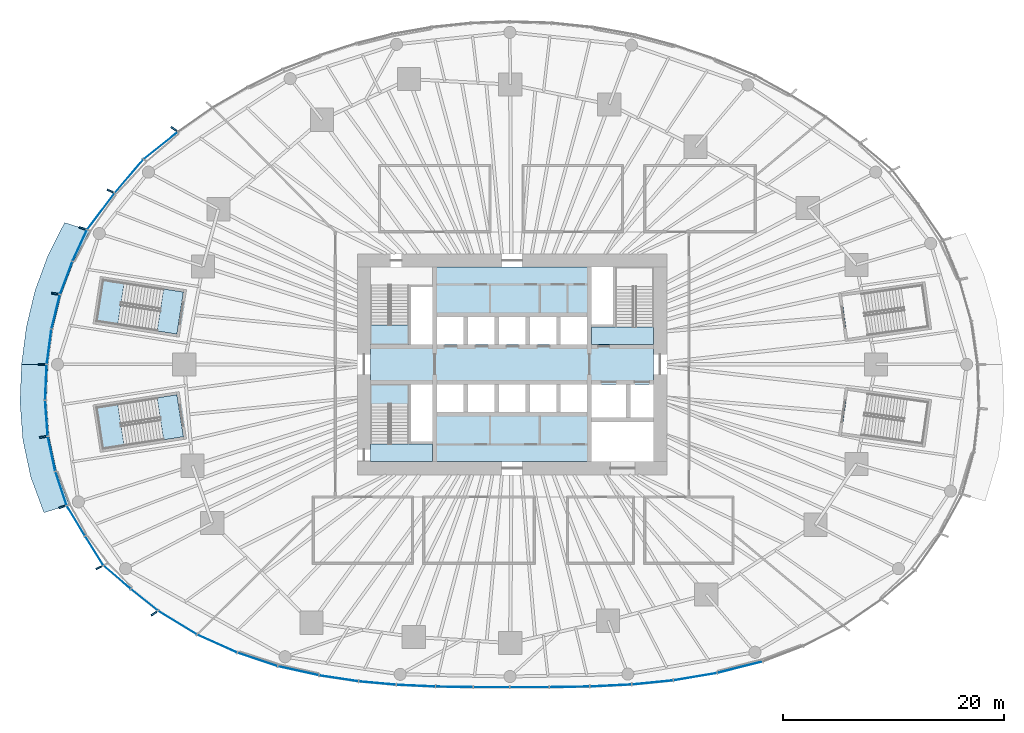
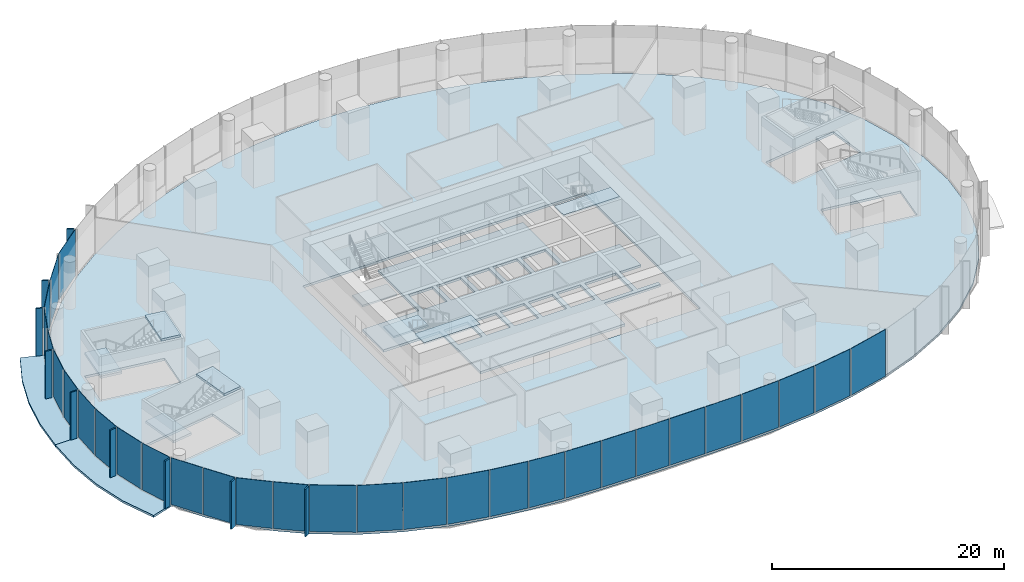
# One storey, part 10 of 28: 39 plates, 12 slabs, 14 elements without a shape of their own.
"""IFC4 building model written with IfcOpenShell, lengths in metres."""

from ifc_helpers import new_model, si_unit, direction, frame, origin, origin_2d, place, context, subcontext, project, spatial, polyline, rectangle, outline, extrude, material, layer, layer_set, type_object, element, aggregate, save


model = new_model("IFC4")

# Units and contexts
model_context = context("Model", 3, precision=1e-05, world=origin(), true_north=direction((0.0, 1.0)))
body_context = subcontext(model_context, "Body", "Model", "MODEL_VIEW")
ifc_project = project(units=[si_unit("LENGTHUNIT", "METRE"), si_unit("AREAUNIT", "SQUARE_METRE"), si_unit("VOLUMEUNIT", "CUBIC_METRE"), si_unit("PLANEANGLEUNIT", "RADIAN"), si_unit("MASSUNIT", "GRAM", prefix="KILO")], contexts=[model_context])

# Site, building, storey
site_placement = place(None, origin())
site = spatial("IfcSite", under=ifc_project, at=site_placement, CompositionType="ELEMENT")
building_placement = place(site_placement, origin())
building = spatial("IfcBuilding", under=site, at=building_placement, Name="Ghaith Harvest Tower", CompositionType="ELEMENT")
storey_placement = place(building_placement, frame((0.0, 0.0, 5.0)))
storey = spatial("IfcBuildingStorey", under=building, at=storey_placement, Name="L01", CompositionType="ELEMENT", Elevation=5.0)

# Slabs
ifc_material_1 = material(Name="Concrete C40/50", Category="concrete")
ifc_layer_1 = layer(ifc_material_1, 0.219970703125)
ifc_layer_set_1 = layer_set([ifc_layer_1], Name="CANOPY SLAB 220")
slab_type_1 = type_object("IfcSlabType", Name="CANOPY SLAB 220", PredefinedType="ROOF", material=ifc_layer_set_1)
slab_1_placement = place(storey_placement, frame((0.0, 0.0, -0.219970703125)))
element("IfcSlab", 1, at=slab_1_placement, inside=storey, type_object=slab_type_1, Name="Entrance canopy bay 10", PredefinedType="ROOF", context=body_context, shape_type="SweptSolid", body=[
    extrude(outline(polyline([(-38.212890625, 12.1103515625), (-39.67919921875, 9.298095703125), (-40.8056640625, 6.311279296875), (-41.57275390625, 3.196044921875), (-42.0, 0.0), (-44.39990234375, 0.0), (-43.965576171875, 3.3798828125), (-43.177490234375, 6.67822265625), (-42.015869140625, 9.845703125), (-40.500732421875, 12.83544921875), (-38.212890625, 12.1103515625)])), origin(), (0.0, 0.0, 1.0), 0.219970703125),
])
slab_2_placement = place(storey_placement, frame((0.0, 0.0, -0.219970703125)))
element("IfcSlab", 2, at=slab_2_placement, inside=storey, type_object=slab_type_1, Name="Entrance canopy bay 11", PredefinedType="ROOF", context=body_context, shape_type="SweptSolid", body=[
    extrude(outline(polyline([(-42.0, 0.0), (-42.145751953125, -3.239990234375), (-41.908203125, -6.48193359375), (-41.22509765625, -9.660400390625), (-40.082763671875, -12.702880859375), (-42.37060546875, -13.427978515625), (-43.561767578125, -10.2080078125), (-44.280029296875, -6.8486328125), (-44.53857421875, -3.424072265625), (-44.39990234375, 0.0), (-42.0, 0.0)])), origin(), (0.0, 0.0, 1.0), 0.219970703125),
])

# Curtain wall, plates
ifc_material_2 = material(Name="Black anodised aluminium and fritted glass", Category="aluminium")
curtain_wall_type = type_object("IfcCurtainWallType", Name="CW-P CURTAIN WALL", PredefinedType="NOTDEFINED", material=ifc_material_2)
curtain_wall_1_placement = place(storey_placement, origin())
curtain_wall_1 = element("IfcCurtainWall", 3, at=curtain_wall_1_placement, inside=storey, type_object=curtain_wall_type, Name="Curtain wall CW-P bay 09 L01", PredefinedType="NOTDEFINED")
ifc_material_3 = material(Name="Glass, dark solar-control fritted double glazed unit", Category="glass")
ifc_layer_2 = layer(ifc_material_3, 0.035888671875)
ifc_layer_set_2 = layer_set([ifc_layer_2], Name="CW-P VISION PANEL")
plate_type_1 = type_object("IfcPlateType", Name="CW-P VISION PANEL", PredefinedType="CURTAIN_PANEL", material=ifc_layer_set_2)
plate_1_placement = place(storey_placement, frame((-31.806884765625, 19.8017578125, 0.080078125), z_axis=(0.0, 0.0, 1.0), x_axis=(-0.782713046151, -0.622382749909, 0.0)))
plate_1 = element("IfcPlate", 4, at=plate_1_placement, type_object=plate_type_1, Name="CW-P glass unit 1 bay 09 L01", PredefinedType="CURTAIN_PANEL", context=body_context, shape_type="SweptSolid", body=[
    extrude(rectangle(XDim=3.91259765625, YDim=0.035888671875, at=origin_2d()), origin(), (0.0, 0.0, 1.0), 4.919921875),
])
plate_2_placement = place(storey_placement, frame((-34.66845703125, 17.036865234375, 0.080078125), z_axis=(0.0, 0.0, 1.0), x_axis=(-0.649171988298, -0.760641656504, 0.0)))
plate_2 = element("IfcPlate", 5, at=plate_2_placement, type_object=plate_type_1, Name="CW-P glass unit 2 bay 09 L01", PredefinedType="CURTAIN_PANEL", context=body_context, shape_type="SweptSolid", body=[
    extrude(rectangle(XDim=3.922607421875, YDim=0.035888671875, at=origin_2d()), origin(), (0.0, 0.0, 1.0), 4.919921875),
])
plate_3_placement = place(storey_placement, frame((-37.218994140625, 13.853271484375, 0.080078125), z_axis=(0.0, 0.0, 1.0), x_axis=(-0.601622218494, -0.798780762296, 0.0)))
plate_3 = element("IfcPlate", 6, at=plate_3_placement, type_object=plate_type_1, Name="CW-P glass unit 3 bay 09 L01", PredefinedType="CURTAIN_PANEL", context=body_context, shape_type="SweptSolid", body=[
    extrude(rectangle(XDim=4.079833984375, YDim=0.035888671875, at=origin_2d()), origin(), (0.0, 0.0, 1.0), 4.919921875),
])
aggregate(curtain_wall_1, [plate_1, plate_2, plate_3])

curtain_wall_2_placement = place(storey_placement, origin())
curtain_wall_2 = element("IfcCurtainWall", 7, at=curtain_wall_2_placement, inside=storey, type_object=curtain_wall_type, Name="Curtain wall CW-P bay 10 L01", PredefinedType="NOTDEFINED")
plate_4_placement = place(storey_placement, frame((-39.133056640625, 10.7587890625, 0.080078125), z_axis=(0.0, 0.0, 1.0), x_axis=(-0.419754998647, -0.907637450258, 0.0)))
plate_4 = element("IfcPlate", 8, at=plate_4_placement, type_object=plate_type_1, Name="CW-P glass unit 1 bay 10 L01", PredefinedType="CURTAIN_PANEL", context=body_context, shape_type="SweptSolid", body=[
    extrude(rectangle(XDim=3.078125, YDim=0.035888671875, at=origin_2d()), origin(), (0.0, 0.0, 1.0), 4.919921875),
])
plate_5_placement = place(storey_placement, frame((-40.360107421875, 7.82763671875, 0.080078125), z_axis=(0.0, 0.0, 1.0), x_axis=(-0.352482670813, -0.935818340692, 0.0)))
plate_5 = element("IfcPlate", 9, at=plate_5_placement, type_object=plate_type_1, Name="CW-P glass unit 2 bay 10 L01", PredefinedType="CURTAIN_PANEL", context=body_context, shape_type="SweptSolid", body=[
    extrude(rectangle(XDim=3.121337890625, YDim=0.035888671875, at=origin_2d()), origin(), (0.0, 0.0, 1.0), 4.919921875),
])
plate_6_placement = place(storey_placement, frame((-41.308349609375, 4.767333984375, 0.080078125), z_axis=(0.0, 0.0, 1.0), x_axis=(-0.238687604784, -0.971096404752, 0.0)))
plate_6 = element("IfcPlate", 10, at=plate_6_placement, type_object=plate_type_1, Name="CW-P glass unit 3 bay 10 L01", PredefinedType="CURTAIN_PANEL", context=body_context, shape_type="SweptSolid", body=[
    extrude(rectangle(XDim=3.137451171875, YDim=0.035888671875, at=origin_2d()), origin(), (0.0, 0.0, 1.0), 4.919921875),
])
plate_7_placement = place(storey_placement, frame((-41.90625, 1.6025390625, 0.080078125), z_axis=(0.0, 0.0, 1.0), x_axis=(-0.132267739724, -0.991214025843, 0.0)))
plate_7 = element("IfcPlate", 11, at=plate_7_placement, type_object=plate_type_1, Name="CW-P glass unit 4 bay 10 L01", PredefinedType="CURTAIN_PANEL", context=body_context, shape_type="SweptSolid", body=[
    extrude(rectangle(XDim=3.153564453125, YDim=0.035888671875, at=origin_2d()), origin(), (0.0, 0.0, 1.0), 4.919921875),
])
aggregate(curtain_wall_2, [plate_4, plate_5, plate_6, plate_7])

curtain_wall_3_placement = place(storey_placement, origin())
curtain_wall_3 = element("IfcCurtainWall", 12, at=curtain_wall_3_placement, inside=storey, type_object=curtain_wall_type, Name="Curtain wall CW-P bay 11 L01", PredefinedType="NOTDEFINED")
plate_8_placement = place(storey_placement, frame((-42.192626953125, -1.62451171875, 0.080078125), z_axis=(0.0, 0.0, 1.0), x_axis=(-0.044677685507, -0.999001453661, 0.0)))
plate_8 = element("IfcPlate", 13, at=plate_8_placement, type_object=plate_type_1, Name="CW-P glass unit 1 bay 11 L01", PredefinedType="CURTAIN_PANEL", context=body_context, shape_type="SweptSolid", body=[
    extrude(rectangle(XDim=3.17236328125, YDim=0.035888671875, at=origin_2d()), origin(), (0.0, 0.0, 1.0), 4.919921875),
])
plate_9_placement = place(storey_placement, frame((-42.14599609375, -4.874755859375, 0.080078125), z_axis=(0.0, 0.0, 1.0), x_axis=(0.073190274989, -0.997317995249, 0.0)))
plate_9 = element("IfcPlate", 14, at=plate_9_placement, type_object=plate_type_1, Name="CW-P glass unit 2 bay 11 L01", PredefinedType="CURTAIN_PANEL", context=body_context, shape_type="SweptSolid", body=[
    extrude(rectangle(XDim=3.1796875, YDim=0.035888671875, at=origin_2d()), origin(), (0.0, 0.0, 1.0), 4.919921875),
])
plate_10_placement = place(storey_placement, frame((-41.684326171875, -8.093994140625, 0.080078125), z_axis=(0.0, 0.0, 1.0), x_axis=(0.210054065023, -0.977689771741, 0.0)))
plate_10 = element("IfcPlate", 15, at=plate_10_placement, type_object=plate_type_1, Name="CW-P glass unit 3 bay 11 L01", PredefinedType="CURTAIN_PANEL", context=body_context, shape_type="SweptSolid", body=[
    extrude(rectangle(XDim=3.18017578125, YDim=0.035888671875, at=origin_2d()), origin(), (0.0, 0.0, 1.0), 4.919921875),
])
plate_11_placement = place(storey_placement, frame((-40.82666015625, -11.231689453125, 0.080078125), z_axis=(0.0, 0.0, 1.0), x_axis=(0.316559226895, -0.948572746745, 0.0)))
plate_11 = element("IfcPlate", 16, at=plate_11_placement, type_object=plate_type_1, Name="CW-P glass unit 4 bay 11 L01", PredefinedType="CURTAIN_PANEL", context=body_context, shape_type="SweptSolid", body=[
    extrude(rectangle(XDim=3.175048828125, YDim=0.035888671875, at=origin_2d()), origin(), (0.0, 0.0, 1.0), 4.919921875),
])
aggregate(curtain_wall_3, [plate_8, plate_9, plate_10, plate_11])

curtain_wall_4_placement = place(storey_placement, origin())
curtain_wall_4 = element("IfcCurtainWall", 17, at=curtain_wall_4_placement, inside=storey, type_object=curtain_wall_type, Name="Curtain wall CW-P bay 12 L01", PredefinedType="NOTDEFINED")
plate_12_placement = place(storey_placement, frame((-39.48046875, -14.154541015625, 0.080078125), z_axis=(0.0, 0.0, 1.0), x_axis=(0.516091070948, -0.856533715908, 0.0)))
plate_12 = element("IfcPlate", 18, at=plate_12_placement, type_object=plate_type_1, Name="CW-P glass unit 1 bay 12 L01", PredefinedType="CURTAIN_PANEL", context=body_context, shape_type="SweptSolid", body=[
    extrude(rectangle(XDim=3.140380859375, YDim=0.035888671875, at=origin_2d()), origin(), (0.0, 0.0, 1.0), 4.919921875),
])
plate_13_placement = place(storey_placement, frame((-37.8154296875, -16.868408203125, 0.080078125), z_axis=(0.0, 0.0, 1.0), x_axis=(0.530000681574, -0.847997215521, 0.0)))
plate_13 = element("IfcPlate", 19, at=plate_13_placement, type_object=plate_type_1, Name="CW-P glass unit 2 bay 12 L01", PredefinedType="CURTAIN_PANEL", context=body_context, shape_type="SweptSolid", body=[
    extrude(rectangle(XDim=3.067626953125, YDim=0.035888671875, at=origin_2d()), origin(), (0.0, 0.0, 1.0), 4.919921875),
])
plate_14_placement = place(storey_placement, frame((-35.742919921875, -19.271484375, 0.080078125), z_axis=(0.0, 0.0, 1.0), x_axis=(0.757045598065, -0.653362045463, 0.0)))
plate_14 = element("IfcPlate", 20, at=plate_14_placement, type_object=plate_type_1, Name="CW-P glass unit 3 bay 12 L01", PredefinedType="CURTAIN_PANEL", context=body_context, shape_type="SweptSolid", body=[
    extrude(rectangle(XDim=3.191162109375, YDim=0.035888671875, at=origin_2d()), origin(), (0.0, 0.0, 1.0), 4.919921875),
])
plate_15_placement = place(storey_placement, frame((-33.2763671875, -21.319580078125, 0.080078125), z_axis=(0.0, 0.0, 1.0), x_axis=(0.781908657767, -0.623393014806, 0.0)))
plate_15 = element("IfcPlate", 21, at=plate_15_placement, type_object=plate_type_1, Name="CW-P glass unit 4 bay 12 L01", PredefinedType="CURTAIN_PANEL", context=body_context, shape_type="SweptSolid", body=[
    extrude(rectangle(XDim=3.062255859375, YDim=0.035888671875, at=origin_2d()), origin(), (0.0, 0.0, 1.0), 4.919921875),
])
aggregate(curtain_wall_4, [plate_12, plate_13, plate_14, plate_15])

curtain_wall_5_placement = place(storey_placement, origin())
curtain_wall_5 = element("IfcCurtainWall", 22, at=curtain_wall_5_placement, inside=storey, type_object=curtain_wall_type, Name="Curtain wall CW-P bay 13 L01", PredefinedType="NOTDEFINED")
plate_16_placement = place(storey_placement, frame((-30.283447265625, -23.375244140625, 0.080078125), z_axis=(0.0, 0.0, 1.0), x_axis=(0.853734681529, -0.520708261462, 0.0)))
plate_16 = element("IfcPlate", 23, at=plate_16_placement, type_object=plate_type_1, Name="CW-P glass unit 1 bay 13 L01", PredefinedType="CURTAIN_PANEL", context=body_context, shape_type="SweptSolid", body=[
    extrude(rectangle(XDim=4.053466796875, YDim=0.035888671875, at=origin_2d()), origin(), (0.0, 0.0, 1.0), 4.919921875),
])
plate_17_placement = place(storey_placement, frame((-26.690185546875, -25.273681640625, 0.080078125), z_axis=(0.0, 0.0, 1.0), x_axis=(0.912066560722, -0.41004217931, 0.0)))
plate_17 = element("IfcPlate", 24, at=plate_17_placement, type_object=plate_type_1, Name="CW-P glass unit 2 bay 13 L01", PredefinedType="CURTAIN_PANEL", context=body_context, shape_type="SweptSolid", body=[
    extrude(rectangle(XDim=3.929931640625, YDim=0.035888671875, at=origin_2d()), origin(), (0.0, 0.0, 1.0), 4.919921875),
])
plate_18_placement = place(storey_placement, frame((-23.03857421875, -26.706787109375, 0.080078125), z_axis=(0.0, 0.0, 1.0), x_axis=(0.94815923205, -0.317795642949, 0.0)))
plate_18 = element("IfcPlate", 25, at=plate_18_placement, type_object=plate_type_1, Name="CW-P glass unit 3 bay 13 L01", PredefinedType="CURTAIN_PANEL", context=body_context, shape_type="SweptSolid", body=[
    extrude(rectangle(XDim=3.76513671875, YDim=0.035888671875, at=origin_2d()), origin(), (0.0, 0.0, 1.0), 4.919921875),
])
aggregate(curtain_wall_5, [plate_16, plate_17, plate_18])

curtain_wall_6_placement = place(storey_placement, origin())
curtain_wall_6 = element("IfcCurtainWall", 26, at=curtain_wall_6_placement, inside=storey, type_object=curtain_wall_type, Name="Curtain wall CW-P bay 14 L01", PredefinedType="NOTDEFINED")
plate_19_placement = place(storey_placement, frame((-19.347900390625, -27.73193359375, 0.080078125), z_axis=(0.0, 0.0, 1.0), x_axis=(0.976277299195, -0.216523982684, 0.0)))
plate_19 = element("IfcPlate", 27, at=plate_19_placement, type_object=plate_type_1, Name="CW-P glass unit 1 bay 14 L01", PredefinedType="CURTAIN_PANEL", context=body_context, shape_type="SweptSolid", body=[
    extrude(rectangle(XDim=3.74658203125, YDim=0.035888671875, at=origin_2d()), origin(), (0.0, 0.0, 1.0), 4.919921875),
])
plate_20_placement = place(storey_placement, frame((-15.689697265625, -28.416748046875, 0.080078125), z_axis=(0.0, 0.0, 1.0), x_axis=(0.988773912704, -0.149419374769, 0.0)))
plate_20 = element("IfcPlate", 28, at=plate_20_placement, type_object=plate_type_1, Name="CW-P glass unit 2 bay 14 L01", PredefinedType="CURTAIN_PANEL", context=body_context, shape_type="SweptSolid", body=[
    extrude(rectangle(XDim=3.541748046875, YDim=0.035888671875, at=origin_2d()), origin(), (0.0, 0.0, 1.0), 4.919921875),
])
plate_21_placement = place(storey_placement, frame((-12.1865234375, -28.843505859375, 0.080078125), z_axis=(0.0, 0.0, 1.0), x_axis=(0.995868378724, -0.090808437148, 0.0)))
plate_21 = element("IfcPlate", 29, at=plate_21_placement, type_object=plate_type_1, Name="CW-P glass unit 3 bay 14 L01", PredefinedType="CURTAIN_PANEL", context=body_context, shape_type="SweptSolid", body=[
    extrude(rectangle(XDim=3.359375, YDim=0.035888671875, at=origin_2d()), origin(), (0.0, 0.0, 1.0), 4.919921875),
])
aggregate(curtain_wall_6, [plate_19, plate_20, plate_21])

curtain_wall_7_placement = place(storey_placement, origin())
curtain_wall_7 = element("IfcCurtainWall", 30, at=curtain_wall_7_placement, inside=storey, type_object=curtain_wall_type, Name="Curtain wall CW-P bay 15 L01", PredefinedType="NOTDEFINED")
plate_22_placement = place(storey_placement, frame((-8.70263671875, -29.081298828125, 0.080078125), z_axis=(0.0, 0.0, 1.0), x_axis=(0.998938820925, -0.046056834987, 0.0)))
plate_22 = element("IfcPlate", 31, at=plate_22_placement, type_object=plate_type_1, Name="CW-P glass unit 1 bay 15 L01", PredefinedType="CURTAIN_PANEL", context=body_context, shape_type="SweptSolid", body=[
    extrude(rectangle(XDim=3.466552734375, YDim=0.035888671875, at=origin_2d()), origin(), (0.0, 0.0, 1.0), 4.919921875),
])
plate_23_placement = place(storey_placement, frame((-5.228515625, -29.18994140625, 0.080078125), z_axis=(0.0, 0.0, 1.0), x_axis=(0.999875064509, -0.01580681412, 0.0)))
plate_23 = element("IfcPlate", 32, at=plate_23_placement, type_object=plate_type_1, Name="CW-P glass unit 2 bay 15 L01", PredefinedType="CURTAIN_PANEL", context=body_context, shape_type="SweptSolid", body=[
    extrude(rectangle(XDim=3.325927734375, YDim=0.035888671875, at=origin_2d()), origin(), (0.0, 0.0, 1.0), 4.919921875),
])
plate_24_placement = place(storey_placement, frame((-1.86279296875, -29.218505859375, 0.080078125), z_axis=(0.0, 0.0, 1.0), x_axis=(0.999999515616, -0.00098425958, 0.0)))
plate_24 = element("IfcPlate", 33, at=plate_24_placement, type_object=plate_type_1, Name="CW-P glass unit 3 bay 15 L01", PredefinedType="CURTAIN_PANEL", context=body_context, shape_type="SweptSolid", body=[
    extrude(rectangle(XDim=3.245849609375, YDim=0.035888671875, at=origin_2d()), origin(), (0.0, 0.0, 1.0), 4.919921875),
])
aggregate(curtain_wall_7, [plate_22, plate_23, plate_24])

curtain_wall_8_placement = place(storey_placement, origin())
curtain_wall_8 = element("IfcCurtainWall", 34, at=curtain_wall_8_placement, inside=storey, type_object=curtain_wall_type, Name="Curtain wall CW-P bay 16 L01", PredefinedType="NOTDEFINED")
plate_25_placement = place(storey_placement, frame((1.582763671875, -29.218994140625, 0.080078125), z_axis=(0.0, 0.0, 1.0), x_axis=(0.999999774189, 0.000672028785, 0.0)))
plate_25 = element("IfcPlate", 35, at=plate_25_placement, type_object=plate_type_1, Name="CW-P glass unit 1 bay 16 L01", PredefinedType="CURTAIN_PANEL", context=body_context, shape_type="SweptSolid", body=[
    extrude(rectangle(XDim=3.485595703125, YDim=0.035888671875, at=origin_2d()), origin(), (0.0, 0.0, 1.0), 4.919921875),
])
plate_26_placement = place(storey_placement, frame((5.1923828125, -29.18896484375, 0.080078125), z_axis=(0.0, 0.0, 1.0), x_axis=(0.999877354219, 0.015661306459, 0.0)))
plate_26 = element("IfcPlate", 36, at=plate_26_placement, type_object=plate_type_1, Name="CW-P glass unit 2 bay 16 L01", PredefinedType="CURTAIN_PANEL", context=body_context, shape_type="SweptSolid", body=[
    extrude(rectangle(XDim=3.573974609375, YDim=0.035888671875, at=origin_2d()), origin(), (0.0, 0.0, 1.0), 4.919921875),
])
plate_27_placement = place(storey_placement, frame((8.925537109375, -29.067626953125, 0.080078125), z_axis=(0.0, 0.0, 1.0), x_axis=(0.998818465999, 0.048597036728, 0.0)))
plate_27 = element("IfcPlate", 37, at=plate_27_placement, type_object=plate_type_1, Name="CW-P glass unit 3 bay 16 L01", PredefinedType="CURTAIN_PANEL", context=body_context, shape_type="SweptSolid", body=[
    extrude(rectangle(XDim=3.737060546875, YDim=0.035888671875, at=origin_2d()), origin(), (0.0, 0.0, 1.0), 4.919921875),
])
aggregate(curtain_wall_8, [plate_25, plate_26, plate_27])

curtain_wall_9_placement = place(storey_placement, origin())
curtain_wall_9 = element("IfcCurtainWall", 38, at=curtain_wall_9_placement, inside=storey, type_object=curtain_wall_type, Name="Curtain wall CW-P bay 17 L01", PredefinedType="NOTDEFINED")
plate_28_placement = place(storey_placement, frame((12.71630859375, -28.78759765625, 0.080078125), z_axis=(0.0, 0.0, 1.0), x_axis=(0.995092549283, 0.098948564221, 0.0)))
plate_28 = element("IfcPlate", 39, at=plate_28_placement, type_object=plate_type_1, Name="CW-P glass unit 1 bay 17 L01", PredefinedType="CURTAIN_PANEL", context=body_context, shape_type="SweptSolid", body=[
    extrude(rectangle(XDim=3.70751953125, YDim=0.035888671875, at=origin_2d()), origin(), (0.0, 0.0, 1.0), 4.919921875),
])
plate_29_placement = place(storey_placement, frame((16.5771484375, -28.2666015625, 0.080078125), z_axis=(0.0, 0.0, 1.0), x_axis=(0.986061908364, 0.166378823395, 0.0)))
plate_29 = element("IfcPlate", 40, at=plate_29_placement, type_object=plate_type_1, Name="CW-P glass unit 2 bay 17 L01", PredefinedType="CURTAIN_PANEL", context=body_context, shape_type="SweptSolid", body=[
    extrude(rectangle(XDim=3.928466796875, YDim=0.035888671875, at=origin_2d()), origin(), (0.0, 0.0, 1.0), 4.919921875),
])
plate_30_placement = place(storey_placement, frame((20.61669921875, -27.414306640625, 0.080078125), z_axis=(0.0, 0.0, 1.0), x_axis=(0.969784618227, 0.243962690283, 0.0)))
plate_30 = element("IfcPlate", 41, at=plate_30_placement, type_object=plate_type_1, Name="CW-P glass unit 3 bay 17 L01", PredefinedType="CURTAIN_PANEL", context=body_context, shape_type="SweptSolid", body=[
    extrude(rectangle(XDim=4.175048828125, YDim=0.035888671875, at=origin_2d()), origin(), (0.0, 0.0, 1.0), 4.919921875),
])
aggregate(curtain_wall_9, [plate_28, plate_29, plate_30])

# Slabs
ifc_material_4 = material(Name="Concrete C40/50", Category="concrete")
ifc_layer_3 = layer(ifc_material_4, 0.25)
ifc_layer_set_3 = layer_set([ifc_layer_3], Name="FLOOR SLAB 250")
slab_type_2 = type_object("IfcSlabType", Name="FLOOR SLAB 250", PredefinedType="FLOOR", material=ifc_layer_set_3)
slab_3_placement = place(storey_placement, frame((0.0, 0.0, -0.25)))
element("IfcSlab", 42, at=slab_3_placement, inside=storey, type_object=slab_type_2, Name="Floor slab L01", PredefinedType="FLOOR", context=body_context, shape_type="SweptSolid", body=[
    extrude(outline(polyline([(42.0, 0.0), (41.43310546875, 3.897216796875), (40.3486328125, 7.658203125), (38.736572265625, 11.19580078125), (36.625732421875, 14.47998046875), (34.138671875, 17.4111328125), (31.389404296875, 19.9765625), (28.29345703125, 22.319580078125), (25.11083984375, 24.3037109375), (21.901123046875, 25.9716796875), (18.281005859375, 27.522705078125), (14.681396484375, 28.758056640625), (11.103271484375, 29.701171875), (7.317138671875, 30.397705078125), (3.546875, 30.789794921875), (-0.21142578125, 30.899658203125), (-3.714111328125, 30.778564453125), (-7.227783203125, 30.410400390625), (-10.755126953125, 29.778076171875), (-14.027099609375, 28.951416015625), (-17.31640625, 27.882568359375), (-20.624267578125, 26.55615234375), (-23.8251953125, 25.008056640625), (-27.0146484375, 23.16162109375), (-30.145751953125, 20.9755859375), (-33.12451171875, 18.423095703125), (-35.857421875, 15.46728515625), (-38.212890625, 12.1103515625), (-39.67919921875, 9.298095703125), (-40.8056640625, 6.311279296875), (-41.57275390625, 3.196044921875), (-42.0, 0.0), (-42.145751953125, -3.239990234375), (-41.908203125, -6.48193359375), (-41.22509765625, -9.660400390625), (-40.082763671875, -12.702880859375), (-38.5380859375, -15.489013671875), (-36.622314453125, -18.0263671875), (-34.4013671875, -20.279296875), (-31.94921875, -22.230712890625), (-28.427978515625, -24.373291015625), (-24.77880859375, -26.0087890625), (-21.123779296875, -27.19921875), (-17.416748046875, -28.044189453125), (-13.8466796875, -28.579345703125), (-10.43310546875, -28.88671875), (-6.903564453125, -29.046142578125), (-3.511474609375, -29.09765625), (-0.19921875, -29.10009765625), (3.351806640625, -29.098388671875), (6.9912109375, -29.043701171875), (10.789794921875, -28.862548828125), (14.54638671875, -28.493408203125), (18.487060546875, -27.833251953125), (22.576904296875, -26.77294921875), (26.25244140625, -25.40869140625), (29.87744140625, -23.5693359375), (33.314208984375, -21.201416015625), (36.223876953125, -18.474609375), (38.668212890625, -15.287353515625), (40.513427734375, -11.709228515625), (41.6611328125, -7.9072265625), (42.129150390625, -3.962646484375), (42.0, 0.0)]), holes=[polyline([(-14.0, -10.0), (14.0, -10.0), (14.0, 10.0), (-14.0, 10.0), (-14.0, -10.0)]), polyline([(30.36962890625, 2.3564453125), (37.696533203125, 3.39404296875), (37.15673828125, 7.2060546875), (29.829833984375, 6.16845703125), (30.36962890625, 2.3564453125)]), polyline([(-29.74853515625, 6.549072265625), (-37.0615234375, 7.68017578125), (-37.650146484375, 3.87548828125), (-30.3369140625, 2.744384765625), (-29.74853515625, 6.549072265625)]), polyline([(-30.3369140625, -2.744384765625), (-37.650146484375, -3.87548828125), (-37.0615234375, -7.68017578125), (-29.74853515625, -6.549072265625), (-30.3369140625, -2.744384765625)]), polyline([(29.829833984375, -6.16845703125), (37.15673828125, -7.2060546875), (37.696533203125, -3.39404296875), (30.36962890625, -2.3564453125), (29.829833984375, -6.16845703125)])]), origin(), (0.0, 0.0, 1.0), 0.25),
])
slab_4_placement = place(storey_placement, frame((0.0, 0.0, -0.25)))
element("IfcSlab", 43, at=slab_4_placement, inside=storey, type_object=slab_type_2, Name="Core slab L01", PredefinedType="FLOOR", context=body_context, shape_type="SweptSolid", body=[
    extrude(outline(polyline([(-12.800048828125, 1.800048828125), (-7.199951171875, 1.800048828125), (-7.199951171875, 8.800048828125), (7.199951171875, 8.800048828125), (7.199951171875, 1.800048828125), (12.800048828125, 1.800048828125), (12.800048828125, -1.800048828125), (10.699951171875, -1.800048828125), (10.699951171875, -4.800048828125), (12.800048828125, -4.800048828125), (12.800048828125, -5.199951171875), (7.199951171875, -5.199951171875), (7.199951171875, -8.800048828125), (-7.199951171875, -8.800048828125), (-7.199951171875, -1.800048828125), (-12.800048828125, -1.800048828125), (-12.800048828125, 1.800048828125)]), holes=[polyline([(-4.39990234375, -4.300048828125), (-4.39990234375, -1.800048828125), (-6.800048828125, -1.800048828125), (-6.800048828125, -4.300048828125), (-4.39990234375, -4.300048828125)]), polyline([(-1.60009765625, -4.300048828125), (-1.60009765625, -1.800048828125), (-4.0, -1.800048828125), (-4.0, -4.300048828125), (-1.60009765625, -4.300048828125)]), polyline([(1.199951171875, -4.300048828125), (1.199951171875, -1.800048828125), (-1.199951171875, -1.800048828125), (-1.199951171875, -4.300048828125), (1.199951171875, -4.300048828125)]), polyline([(-4.39990234375, 1.800048828125), (-4.39990234375, 4.300048828125), (-6.800048828125, 4.300048828125), (-6.800048828125, 1.800048828125), (-4.39990234375, 1.800048828125)]), polyline([(-1.60009765625, 1.800048828125), (-1.60009765625, 4.300048828125), (-4.0, 4.300048828125), (-4.0, 1.800048828125), (-1.60009765625, 1.800048828125)]), polyline([(1.199951171875, 1.800048828125), (1.199951171875, 4.300048828125), (-1.199951171875, 4.300048828125), (-1.199951171875, 1.800048828125), (1.199951171875, 1.800048828125)]), polyline([(10.300048828125, -4.800048828125), (10.300048828125, -1.800048828125), (7.199951171875, -1.800048828125), (7.199951171875, -4.800048828125), (10.300048828125, -4.800048828125)]), polyline([(4.0, -4.300048828125), (4.0, -1.800048828125), (1.60009765625, -1.800048828125), (1.60009765625, -4.300048828125), (4.0, -4.300048828125)]), polyline([(6.800048828125, -4.300048828125), (6.800048828125, -1.800048828125), (4.39990234375, -1.800048828125), (4.39990234375, -4.300048828125), (6.800048828125, -4.300048828125)]), polyline([(4.0, 1.800048828125), (4.0, 4.300048828125), (1.60009765625, 4.300048828125), (1.60009765625, 1.800048828125), (4.0, 1.800048828125)]), polyline([(6.800048828125, 1.800048828125), (6.800048828125, 4.300048828125), (4.39990234375, 4.300048828125), (4.39990234375, 1.800048828125), (6.800048828125, 1.800048828125)])]), origin(), (0.0, 0.0, 1.0), 0.25),
])

# Stair, slab
ifc_material_5 = material(Name="Concrete C40/50, precast", Category="concrete")
stair_type_1 = type_object("IfcStairType", Name="CORE STAIR 28R", PredefinedType="HALF_TURN_STAIR", material=ifc_material_5)
stair_1_placement = place(storey_placement, origin())
stair_1 = element("IfcStair", 44, at=stair_1_placement, inside=storey, type_object=stair_type_1, Name="Stair ST1 L01", PredefinedType="HALF_TURN_STAIR")
ifc_material_6 = material(Name="Concrete C40/50, precast", Category="concrete")
ifc_layer_4 = layer(ifc_material_6, 0.179931640625)
ifc_layer_set_4 = layer_set([ifc_layer_4], Name="STAIR LANDING 180")
slab_type_3 = type_object("IfcSlabType", Name="STAIR LANDING 180", PredefinedType="LANDING", material=ifc_layer_set_4)
slab_5_placement = place(storey_placement, frame((0.0, 0.0, 2.320068359375)))
slab_5 = element("IfcSlab", 45, at=slab_5_placement, type_object=slab_type_3, Name="ST1 landing 1", PredefinedType="LANDING", context=body_context, shape_type="SweptSolid", body=[
    extrude(outline(polyline([(-12.800048828125, 3.580078125), (-12.800048828125, 1.800048828125), (-9.35009765625, 1.800048828125), (-9.35009765625, 3.580078125), (-12.800048828125, 3.580078125)])), origin(), (0.0, 0.0, 1.0), 0.179931640625),
])
aggregate(stair_1, [slab_5])

# Stair, slabs
stair_2_placement = place(storey_placement, origin())
stair_2 = element("IfcStair", 46, at=stair_2_placement, inside=storey, type_object=stair_type_1, Name="Stair ST3 L01", PredefinedType="HALF_TURN_STAIR")
slab_6_placement = place(storey_placement, frame((0.0, 0.0, 2.320068359375)))
slab_6 = element("IfcSlab", 47, at=slab_6_placement, type_object=slab_type_3, Name="ST3 landing 1", PredefinedType="LANDING", context=body_context, shape_type="SweptSolid", body=[
    extrude(outline(polyline([(-12.800048828125, -3.580078125), (-12.800048828125, -1.800048828125), (-9.35009765625, -1.800048828125), (-9.35009765625, -3.580078125), (-12.800048828125, -3.580078125)])), origin(), (0.0, 0.0, 1.0), 0.179931640625),
])
slab_7_placement = place(storey_placement, frame((0.0, 0.0, 4.820068359375)))
slab_7 = element("IfcSlab", 48, at=slab_7_placement, type_object=slab_type_3, Name="ST3 landing 2", PredefinedType="LANDING", context=body_context, shape_type="SweptSolid", body=[
    extrude(outline(polyline([(-12.800048828125, -8.800048828125), (-12.800048828125, -7.199951171875), (-7.199951171875, -7.199951171875), (-7.199951171875, -8.800048828125), (-12.800048828125, -8.800048828125)])), origin(), (0.0, 0.0, 1.0), 0.179931640625),
])
aggregate(stair_2, [slab_6, slab_7])

# Stair, slab
stair_3_placement = place(storey_placement, origin())
stair_3 = element("IfcStair", 49, at=stair_3_placement, inside=storey, type_object=stair_type_1, Name="Stair ST2 L01", PredefinedType="HALF_TURN_STAIR")
slab_8_placement = place(storey_placement, frame((0.0, 0.0, 4.820068359375)))
slab_8 = element("IfcSlab", 50, at=slab_8_placement, type_object=slab_type_3, Name="ST2 landing 2", PredefinedType="LANDING", context=body_context, shape_type="SweptSolid", body=[
    extrude(outline(polyline([(12.800048828125, 1.800048828125), (12.800048828125, 3.39990234375), (7.199951171875, 3.39990234375), (7.199951171875, 1.800048828125), (12.800048828125, 1.800048828125)])), origin(), (0.0, 0.0, 1.0), 0.179931640625),
])
aggregate(stair_3, [slab_8])

# Stair, slabs
ifc_material_7 = material(Name="Concrete C40/50, precast", Category="concrete")
stair_type_2 = type_object("IfcStairType", Name="PODIUM STAIR 28R", PredefinedType="HALF_TURN_STAIR", material=ifc_material_7)
stair_4_placement = place(storey_placement, origin())
stair_4 = element("IfcStair", 51, at=stair_4_placement, inside=storey, type_object=stair_type_2, Name="Stair PS2 L01", PredefinedType="HALF_TURN_STAIR")
ifc_material_8 = material(Name="Concrete C40/50, precast", Category="concrete")
ifc_layer_5 = layer(ifc_material_8, 0.25)
ifc_layer_set_5 = layer_set([ifc_layer_5], Name="STAIR LANDING 250")
slab_type_4 = type_object("IfcSlabType", Name="STAIR LANDING 250", PredefinedType="LANDING", material=ifc_layer_set_5)
slab_9_placement = place(storey_placement, frame((0.0, 0.0, 2.25)))
slab_9 = element("IfcSlab", 52, at=slab_9_placement, type_object=slab_type_4, Name="PS2 landing 1", PredefinedType="LANDING", context=body_context, shape_type="SweptSolid", body=[
    extrude(outline(polyline([(-35.10498046875, 7.37744140625), (-37.0615234375, 7.68017578125), (-37.650146484375, 3.87548828125), (-35.693359375, 3.57275390625), (-35.10498046875, 7.37744140625)])), origin(), (0.0, 0.0, 1.0), 0.25),
])
slab_10_placement = place(storey_placement, frame((0.0, 0.0, 4.75)))
slab_10 = element("IfcSlab", 53, at=slab_10_placement, type_object=slab_type_4, Name="PS2 landing 2", PredefinedType="LANDING", context=body_context, shape_type="SweptSolid", body=[
    extrude(outline(polyline([(-29.74853515625, 6.549072265625), (-31.547119140625, 6.8271484375), (-32.135498046875, 3.0224609375), (-30.3369140625, 2.744384765625), (-29.74853515625, 6.549072265625)])), origin(), (0.0, 0.0, 1.0), 0.25),
])
aggregate(stair_4, [slab_9, slab_10])

stair_5_placement = place(storey_placement, origin())
stair_5 = element("IfcStair", 54, at=stair_5_placement, inside=storey, type_object=stair_type_2, Name="Stair PS3 L01", PredefinedType="HALF_TURN_STAIR")
slab_11_placement = place(storey_placement, frame((0.0, 0.0, 2.25)))
slab_11 = element("IfcSlab", 55, at=slab_11_placement, type_object=slab_type_4, Name="PS3 landing 1", PredefinedType="LANDING", context=body_context, shape_type="SweptSolid", body=[
    extrude(outline(polyline([(-35.693359375, -3.57275390625), (-37.650146484375, -3.87548828125), (-37.0615234375, -7.68017578125), (-35.10498046875, -7.37744140625), (-35.693359375, -3.57275390625)])), origin(), (0.0, 0.0, 1.0), 0.25),
])
slab_12_placement = place(storey_placement, frame((0.0, 0.0, 4.75)))
slab_12 = element("IfcSlab", 56, at=slab_12_placement, type_object=slab_type_4, Name="PS3 landing 2", PredefinedType="LANDING", context=body_context, shape_type="SweptSolid", body=[
    extrude(outline(polyline([(-30.3369140625, -2.744384765625), (-32.135498046875, -3.0224609375), (-31.547119140625, -6.8271484375), (-29.74853515625, -6.549072265625), (-30.3369140625, -2.744384765625)])), origin(), (0.0, 0.0, 1.0), 0.25),
])
aggregate(stair_5, [slab_11, slab_12])

# Plates
ifc_material_9 = material(Name="Glassfibre-reinforced concrete", Category="concrete")
ifc_layer_6 = layer(ifc_material_9, 0.14990234375)
ifc_layer_set_6 = layer_set([ifc_layer_6], Name="SUN-BREAKER FIN 600x150")
plate_type_2 = type_object("IfcPlateType", Name="SUN-BREAKER FIN 600x150", PredefinedType="USERDEFINED", material=ifc_layer_set_6)
for number, where, z_axis, x_axis, name in (
    (57, (-30.613525390625, 21.30126953125, 0.0), (0.0, 0.0, 1.0), (-0.820845486523, 0.571150319316, 0.0), "Sun-breaker fin CW-P 1 bay 09 L01"),
    (58, (-36.380859375, 15.693115234375, 0.0), (0.0, 0.0, 1.0), (-0.918217993215, 0.396075392995, 0.0), "Sun-breaker fin CW-P 3 bay 09 L01"),
    (59, (-38.8994140625, 12.327880859375, 0.0), (0.0, 0.0, 1.0), (-0.953273219358, 0.302109531884, 0.0), "Sun-breaker fin CW-P 1 bay 10 L01"),
    (60, (-41.368896484375, 6.3984375, 0.0), (0.0, 0.0, 1.0), (-0.988249264984, 0.152850875882, 0.0), "Sun-breaker fin CW-P 3 bay 10 L01"),
    (61, (-42.570068359375, 0.0, 0.0), (0.0, 0.0, 1.0), (-1.0, -4.19e-10, 0.0), "Sun-breaker fin CW-P 1 bay 11 L01"),
    (62, (-42.471435546875, -6.569091796875, 0.0), (0.0, 0.0, 1.0), (-0.988249265011, -0.152850875709, 0.0), "Sun-breaker fin CW-P 3 bay 11 L01"),
    (63, (-40.740478515625, -12.911376953125, 0.0), (0.0, 0.0, 1.0), (-0.953273219416, -0.302109531701, 0.0), "Sun-breaker fin CW-P 1 bay 12 L01"),
    (64, (-37.385009765625, -18.401611328125, 0.0), (0.0, 0.0, 1.0), (-0.897201221415, -0.441621974421, 0.0), "Sun-breaker fin CW-P 3 bay 12 L01"),
    (65, (-32.417236328125, -22.55615234375, 0.0), (0.0, 0.0, 1.0), (-0.820845486622, -0.571150319173, 0.0), "Sun-breaker fin CW-P 1 bay 13 L01"),
):
    element("IfcPlate", number, at=place(storey_placement, frame(where, z_axis=z_axis, x_axis=x_axis)), inside=storey, type_object=plate_type_2, Name=name, ObjectType="SUN-BREAKER FIN", PredefinedType="USERDEFINED", context=body_context, shape_type="SweptSolid", body=[
        extrude(rectangle(XDim=0.60009765625, YDim=0.14990234375, at=origin_2d()), origin(), (0.0, 0.0, 1.0), 5.0),
    ])

save(model, "model.ifc")
